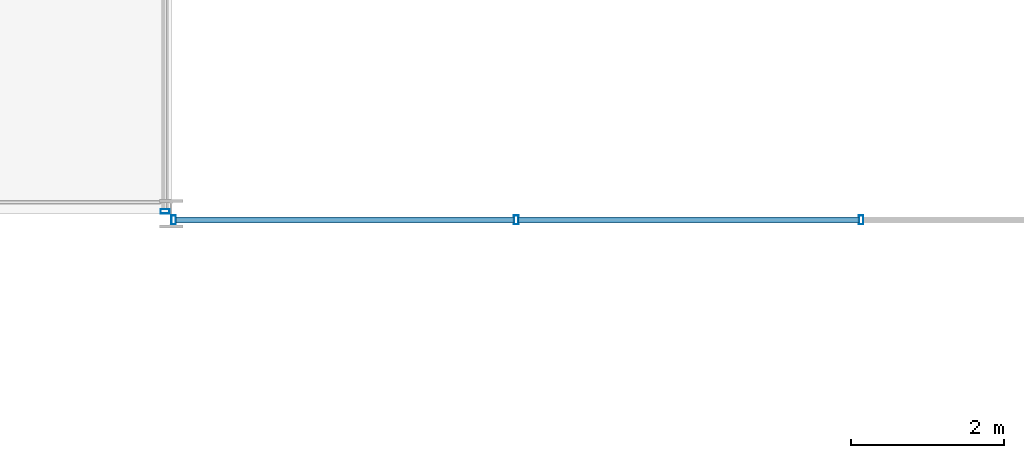
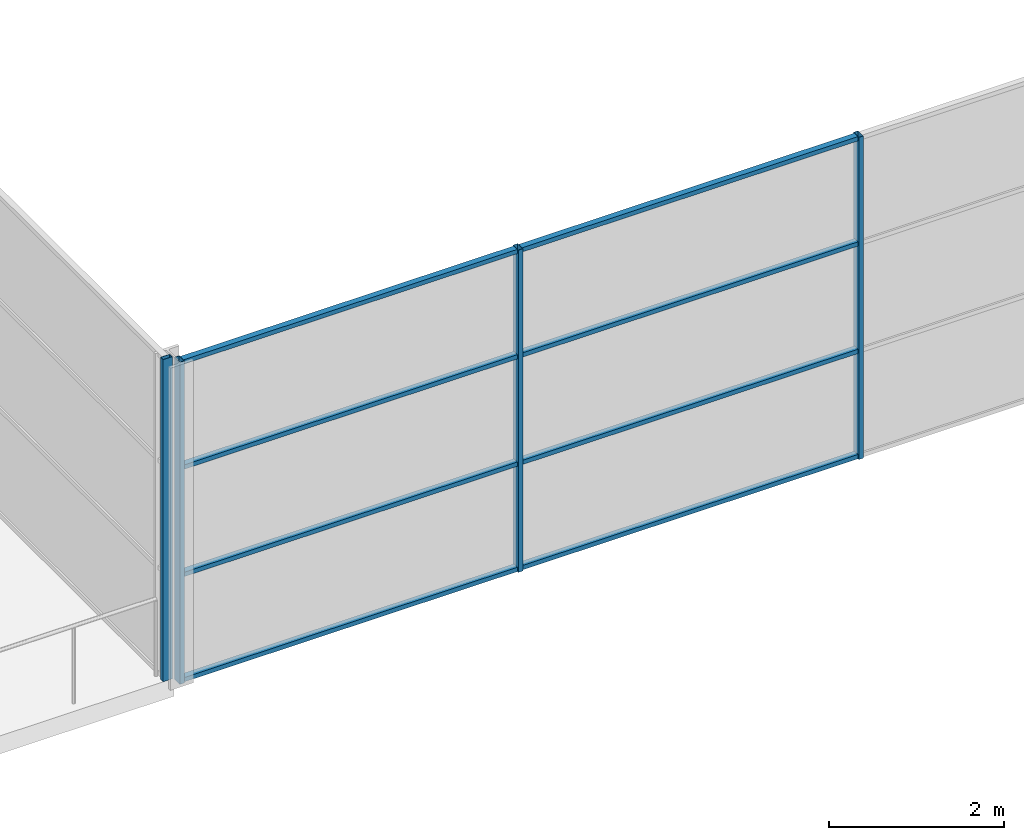
# One storey, part 11 of 70: 12 members, 2 elements without a shape of their own.
"""IFC4 building model written with IfcOpenShell, lengths in metres."""

from ifc_helpers import new_model, si_unit, direction, frame, origin, origin_2d, place, context, subcontext, project, spatial, hollow_rectangle, extrude, material, material_profile, profile_set, type_object, element, aggregate, save


model = new_model("IFC4")

# Units and contexts
model_context = context("Model", 3, precision=1e-05, world=origin(), true_north=direction((0.0, 1.0)))
body_context = subcontext(model_context, "Body", "Model", "MODEL_VIEW")
ifc_project = project(units=[si_unit("LENGTHUNIT", "METRE"), si_unit("AREAUNIT", "SQUARE_METRE"), si_unit("VOLUMEUNIT", "CUBIC_METRE"), si_unit("PLANEANGLEUNIT", "RADIAN"), si_unit("MASSUNIT", "GRAM", prefix="KILO")], contexts=[model_context])

# Site, building, storey
site_placement = place(None, origin())
site = spatial("IfcSite", under=ifc_project, at=site_placement, CompositionType="ELEMENT")
building_placement = place(site_placement, origin())
building = spatial("IfcBuilding", under=site, at=building_placement, Name="Kallimachos Central Library", CompositionType="ELEMENT")
storey_placement = place(building_placement, frame((0.0, 0.0, 18.89990234375)))
storey = spatial("IfcBuildingStorey", under=building, at=storey_placement, Name="L04", CompositionType="ELEMENT", Elevation=18.89990234375)

# Curtain wall, members
ifc_material_1 = material(Name="Aluminium and laminated glass", Category="aluminium")
curtain_wall_type = type_object("IfcCurtainWallType", Name="Atrium glazed screen", PredefinedType="NOTDEFINED", material=ifc_material_1)
curtain_wall_1_placement = place(storey_placement, origin())
curtain_wall_1 = element("IfcCurtainWall", 1, at=curtain_wall_1_placement, inside=storey, type_object=curtain_wall_type, Name="L04 atrium screen S", PredefinedType="NOTDEFINED")
ifc_material_2 = material(Name="Anodised aluminium", Category="aluminium")
ifc_material_profile_1 = material_profile(ifc_material_2, hollow_rectangle(XDim=0.06005859375, YDim=0.1201171875, WallThickness=0.00390625, at=origin_2d()), Name="ALU MULLION 60x120")
ifc_profile_set_1 = profile_set([ifc_material_profile_1], Name="Anodised aluminium")
member_type_1 = type_object("IfcMemberType", Name="Atrium screen mullion", PredefinedType="MULLION", material=ifc_profile_set_1)
member_1_placement = place(storey_placement, frame((74.530029296875, 56.919921875, 0.0), z_axis=(0.0, 0.0, 1.0), x_axis=(1.0, 0.0, 0.0)))
member_1 = element("IfcMember", 2, at=member_1_placement, type_object=member_type_1, Name="CW mullion 1", PredefinedType="MULLION", context=body_context, shape_type="SweptSolid", body=[
    extrude(hollow_rectangle(XDim=0.06005859375, YDim=0.1201171875, WallThickness=0.00390625, at=origin_2d()), origin(), (0.0, 0.0, 1.0), 4.5),
])
member_2_placement = place(storey_placement, frame((79.0, 56.919921875, 0.0), z_axis=(0.0, 0.0, 1.0), x_axis=(1.0, 0.0, 0.0)))
member_2 = element("IfcMember", 3, at=member_2_placement, type_object=member_type_1, Name="CW mullion 2", PredefinedType="MULLION", context=body_context, shape_type="SweptSolid", body=[
    extrude(hollow_rectangle(XDim=0.06005859375, YDim=0.1201171875, WallThickness=0.00390625, at=origin_2d()), origin(), (0.0, 0.0, 1.0), 4.5),
])
member_3_placement = place(storey_placement, frame((83.5, 56.919921875, 0.0), z_axis=(0.0, 0.0, 1.0), x_axis=(1.0, 0.0, 0.0)))
member_3 = element("IfcMember", 4, at=member_3_placement, type_object=member_type_1, Name="CW mullion 3", PredefinedType="MULLION", context=body_context, shape_type="SweptSolid", body=[
    extrude(hollow_rectangle(XDim=0.06005859375, YDim=0.1201171875, WallThickness=0.00390625, at=origin_2d()), origin(), (0.0, 0.0, 1.0), 4.5),
])

# Curtain wall, member
curtain_wall_2_placement = place(storey_placement, origin())
curtain_wall_2 = element("IfcCurtainWall", 5, at=curtain_wall_2_placement, inside=storey, type_object=curtain_wall_type, Name="L04 atrium screen W", PredefinedType="NOTDEFINED")
member_4_placement = place(storey_placement, frame((74.419921875, 57.030029296875, 0.0), z_axis=(0.0, 0.0, 1.0), x_axis=(0.0, 1.0, 0.0)))
member_4 = element("IfcMember", 6, at=member_4_placement, type_object=member_type_1, Name="CW mullion 1", PredefinedType="MULLION", context=body_context, shape_type="SweptSolid", body=[
    extrude(hollow_rectangle(XDim=0.06005859375, YDim=0.1201171875, WallThickness=0.00390625, at=origin_2d()), origin(), (0.0, 0.0, 1.0), 4.5),
])
aggregate(curtain_wall_2, [member_4])

# Member
ifc_material_3 = material(Name="Anodised aluminium", Category="aluminium")
ifc_material_profile_2 = material_profile(ifc_material_3, hollow_rectangle(XDim=0.06005859375, YDim=0.080078125, WallThickness=0.00390625, at=origin_2d()), Name="ALU TRANSOM 60x80")
ifc_profile_set_2 = profile_set([ifc_material_profile_2], Name="Anodised aluminium")
member_type_2 = type_object("IfcMemberType", Name="Atrium screen transom", PredefinedType="USERDEFINED", material=ifc_profile_set_2)
member_5_placement = place(storey_placement, frame((74.56005859375, 56.919921875, 0.030029296875), z_axis=(1.0, 0.0, 0.0), x_axis=(0.0, 0.0, 1.0)))
member_5 = element("IfcMember", 7, at=member_5_placement, type_object=member_type_2, Name="CW transom 1.1", ObjectType="TRANSOM", PredefinedType="USERDEFINED", context=body_context, shape_type="SweptSolid", body=[
    extrude(hollow_rectangle(XDim=0.06005859375, YDim=0.080078125, WallThickness=0.00390625, at=origin_2d()), origin(), (0.0, 0.0, 1.0), 4.409912109375),
])

member_6_placement = place(storey_placement, frame((74.56005859375, 56.919921875, 1.5), z_axis=(1.0, 0.0, 0.0), x_axis=(0.0, 0.0, 1.0)))
member_6 = element("IfcMember", 8, at=member_6_placement, type_object=member_type_2, Name="CW transom 1.2", ObjectType="TRANSOM", PredefinedType="USERDEFINED", context=body_context, shape_type="SweptSolid", body=[
    extrude(hollow_rectangle(XDim=0.06005859375, YDim=0.080078125, WallThickness=0.00390625, at=origin_2d()), origin(), (0.0, 0.0, 1.0), 4.409912109375),
])

member_7_placement = place(storey_placement, frame((74.56005859375, 56.919921875, 3.0), z_axis=(1.0, 0.0, 0.0), x_axis=(0.0, 0.0, 1.0)))
member_7 = element("IfcMember", 9, at=member_7_placement, type_object=member_type_2, Name="CW transom 1.3", ObjectType="TRANSOM", PredefinedType="USERDEFINED", context=body_context, shape_type="SweptSolid", body=[
    extrude(hollow_rectangle(XDim=0.06005859375, YDim=0.080078125, WallThickness=0.00390625, at=origin_2d()), origin(), (0.0, 0.0, 1.0), 4.409912109375),
])

member_8_placement = place(storey_placement, frame((74.56005859375, 56.919921875, 4.47021484375), z_axis=(1.0, 0.0, 0.0), x_axis=(0.0, 0.0, 1.0)))
member_8 = element("IfcMember", 10, at=member_8_placement, type_object=member_type_2, Name="CW transom 1.4", ObjectType="TRANSOM", PredefinedType="USERDEFINED", context=body_context, shape_type="SweptSolid", body=[
    extrude(hollow_rectangle(XDim=0.06005859375, YDim=0.080078125, WallThickness=0.00390625, at=origin_2d()), origin(), (0.0, 0.0, 1.0), 4.409912109375),
])

member_9_placement = place(storey_placement, frame((79.030029296875, 56.919921875, 0.030029296875), z_axis=(1.0, 0.0, 0.0), x_axis=(0.0, 0.0, 1.0)))
member_9 = element("IfcMember", 11, at=member_9_placement, type_object=member_type_2, Name="CW transom 2.1", ObjectType="TRANSOM", PredefinedType="USERDEFINED", context=body_context, shape_type="SweptSolid", body=[
    extrude(hollow_rectangle(XDim=0.06005859375, YDim=0.080078125, WallThickness=0.00390625, at=origin_2d()), origin(), (0.0, 0.0, 1.0), 4.43994140625),
])

member_10_placement = place(storey_placement, frame((79.030029296875, 56.919921875, 1.5), z_axis=(1.0, 0.0, 0.0), x_axis=(0.0, 0.0, 1.0)))
member_10 = element("IfcMember", 12, at=member_10_placement, type_object=member_type_2, Name="CW transom 2.2", ObjectType="TRANSOM", PredefinedType="USERDEFINED", context=body_context, shape_type="SweptSolid", body=[
    extrude(hollow_rectangle(XDim=0.06005859375, YDim=0.080078125, WallThickness=0.00390625, at=origin_2d()), origin(), (0.0, 0.0, 1.0), 4.43994140625),
])

member_11_placement = place(storey_placement, frame((79.030029296875, 56.919921875, 3.0), z_axis=(1.0, 0.0, 0.0), x_axis=(0.0, 0.0, 1.0)))
member_11 = element("IfcMember", 13, at=member_11_placement, type_object=member_type_2, Name="CW transom 2.3", ObjectType="TRANSOM", PredefinedType="USERDEFINED", context=body_context, shape_type="SweptSolid", body=[
    extrude(hollow_rectangle(XDim=0.06005859375, YDim=0.080078125, WallThickness=0.00390625, at=origin_2d()), origin(), (0.0, 0.0, 1.0), 4.43994140625),
])

member_12_placement = place(storey_placement, frame((79.030029296875, 56.919921875, 4.47021484375), z_axis=(1.0, 0.0, 0.0), x_axis=(0.0, 0.0, 1.0)))
member_12 = element("IfcMember", 14, at=member_12_placement, type_object=member_type_2, Name="CW transom 2.4", ObjectType="TRANSOM", PredefinedType="USERDEFINED", context=body_context, shape_type="SweptSolid", body=[
    extrude(hollow_rectangle(XDim=0.06005859375, YDim=0.080078125, WallThickness=0.00390625, at=origin_2d()), origin(), (0.0, 0.0, 1.0), 4.43994140625),
])

aggregate(curtain_wall_1, [member_1, member_2, member_3, member_5, member_6, member_7, member_8, member_9, member_10, member_11, member_12])

save(model, "model.ifc")
